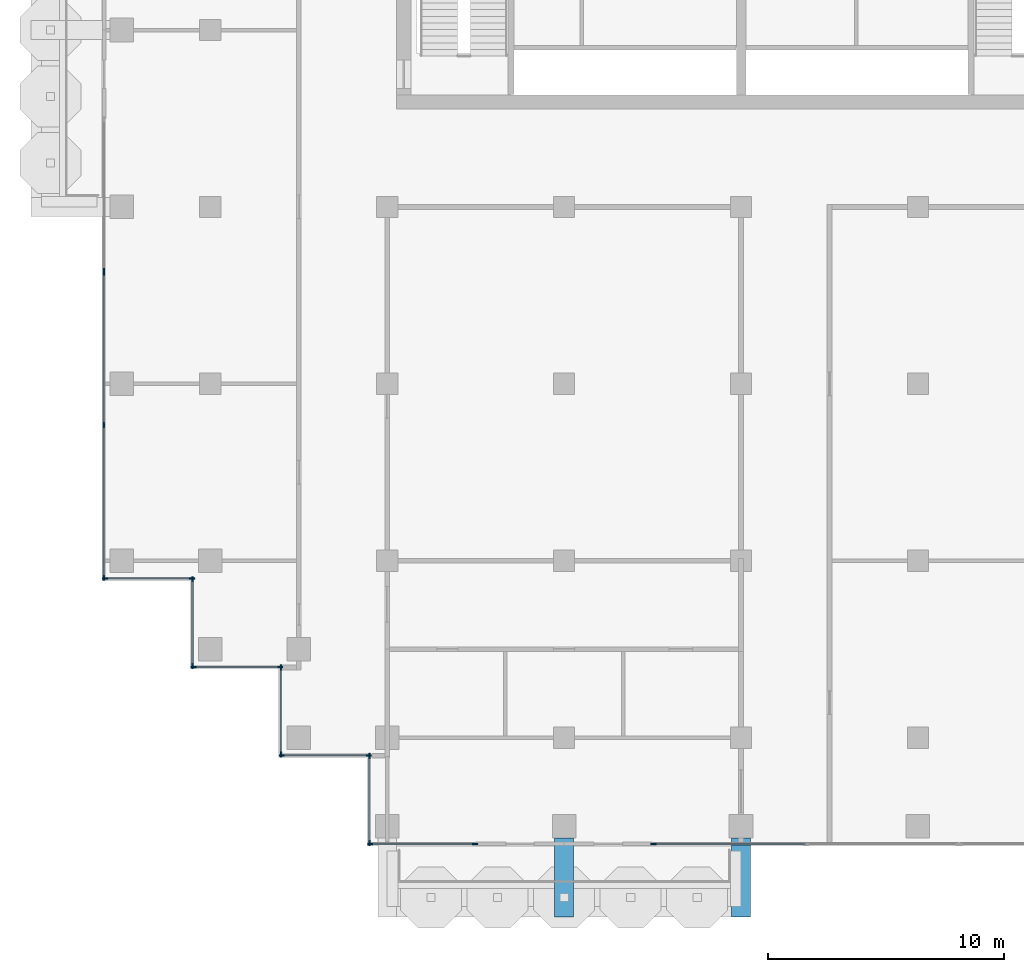
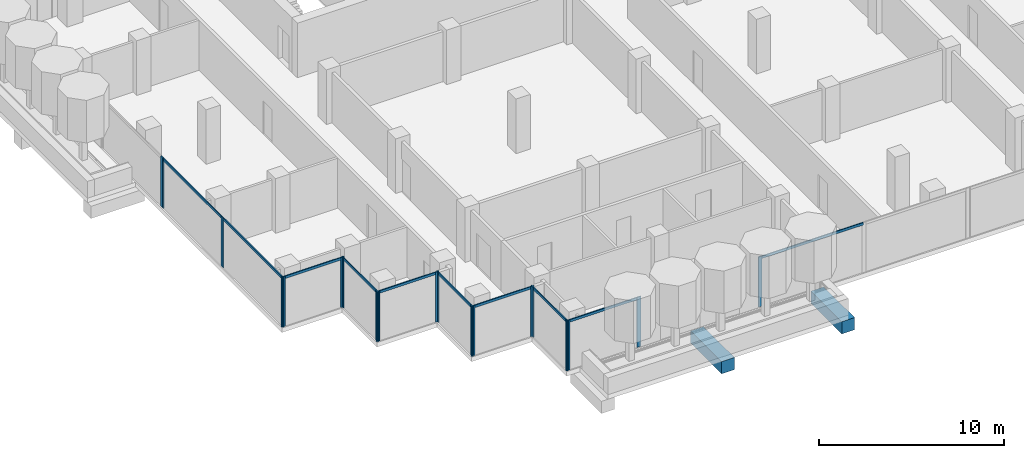
# One storey, part 2 of 17: 29 members, 2 beams, 10 elements without a shape of their own.
"""IFC4 building model written with IfcOpenShell, lengths in metres."""

from ifc_helpers import new_model, si_unit, direction, frame, origin, origin_2d, place, context, subcontext, project, spatial, rectangle, extrude, material, material_profile, profile_set, type_object, element, aggregate, save


model = new_model("IFC4")

# Units and contexts
model_context = context("Model", 3, precision=1e-05, world=origin(), true_north=direction((0.0, 1.0)))
body_context = subcontext(model_context, "Body", "Model", "MODEL_VIEW")
ifc_project = project(units=[si_unit("LENGTHUNIT", "METRE"), si_unit("AREAUNIT", "SQUARE_METRE"), si_unit("VOLUMEUNIT", "CUBIC_METRE"), si_unit("PLANEANGLEUNIT", "RADIAN"), si_unit("MASSUNIT", "GRAM", prefix="KILO")], contexts=[model_context])

# Site, building, storey
site_placement = place(None, origin())
site = spatial("IfcSite", under=ifc_project, at=site_placement, CompositionType="ELEMENT")
building_placement = place(site_placement, origin())
building = spatial("IfcBuilding", under=site, at=building_placement, Name="Pilkhan Gate Tower", CompositionType="ELEMENT")
storey_placement = place(building_placement, frame((0.0, 0.0, 213.89990234375)))
storey = spatial("IfcBuildingStorey", under=building, at=storey_placement, Name="L55", CompositionType="ELEMENT", Elevation=213.89990234375)

# Beams
ifc_material_1 = material(Name="Concrete C50/60", Category="concrete")
ifc_material_profile_1 = material_profile(ifc_material_1, rectangle(XDim=0.800048828125, YDim=0.800048828125, at=origin_2d()), Name="RC 800x800")
ifc_profile_set_1 = profile_set([ifc_material_profile_1], Name="Concrete C50/60")
beam_type = type_object("IfcBeamType", Name="Cantilever beam CB2 RC 800x800 C50/60", PredefinedType="BEAM", material=ifc_profile_set_1)
for number, where, z_axis, x_axis, name in (
    (1, (67.5, 40.75, -0.699951171875), (0.0, -1.0, 0.0), (1.0, 0.0, 0.0), "Balcony beam S.2 L55"),
    (2, (75.0, 40.75, -0.699951171875), (0.0, -1.0, 0.0), (1.0, 0.0, 0.0), "Balcony beam S.3 L55"),
):
    element("IfcBeam", number, at=place(storey_placement, frame(where, z_axis=z_axis, x_axis=x_axis)), inside=storey, type_object=beam_type, Name=name, PredefinedType="BEAM", context=body_context, shape_type="SweptSolid", body=[
        extrude(rectangle(XDim=0.800048828125, YDim=0.800048828125, at=origin_2d()), origin(), (0.0, 0.0, 1.0), 3.35009765625),
    ])

# Curtain wall, members
ifc_material_2 = material(Name="Pale anodised aluminium, clear low-iron double glazing", Category="aluminium")
curtain_wall_type = type_object("IfcCurtainWallType", Name="Office unitised curtain wall CW-O2", PredefinedType="USERDEFINED", material=ifc_material_2)
curtain_wall_1_placement = place(storey_placement, origin())
curtain_wall_1 = element("IfcCurtainWall", 3, at=curtain_wall_1_placement, inside=storey, type_object=curtain_wall_type, Name="Office unitised curtain wall CW-O2 L55 W", ObjectType="UNITISED CURTAIN WALL", PredefinedType="USERDEFINED")
ifc_material_3 = material(Name="Pale anodised aluminium", Category="aluminium")
ifc_material_profile_2 = material_profile(ifc_material_3, rectangle(XDim=0.06494140625, YDim=0.22509765625, at=origin_2d()), Name="Mullion 225x65")
ifc_profile_set_2 = profile_set([ifc_material_profile_2], Name="Pale anodised aluminium")
member_type_1 = type_object("IfcMemberType", Name="Mullion CW-O2 225x65", PredefinedType="MULLION", material=ifc_profile_set_2)
member_1_placement = place(storey_placement, frame((48.0, 51.782470703125, 0.0), z_axis=(0.0, 0.0, 1.0), x_axis=(-1.0, 0.0, 0.0)))
member_1 = element("IfcMember", 4, at=member_1_placement, type_object=member_type_1, Name="CW-O2 mullion 1", PredefinedType="MULLION", context=body_context, shape_type="SweptSolid", body=[
    extrude(rectangle(XDim=0.06494140625, YDim=0.22509765625, at=origin_2d()), origin(), (0.0, 0.0, 1.0), 3.300048828125),
])
member_2_placement = place(storey_placement, frame((48.0, 58.25, 0.0), z_axis=(0.0, 0.0, 1.0), x_axis=(-1.0, 0.0, 0.0)))
member_2 = element("IfcMember", 5, at=member_2_placement, type_object=member_type_1, Name="CW-O2 mullion 2", PredefinedType="MULLION", context=body_context, shape_type="SweptSolid", body=[
    extrude(rectangle(XDim=0.06494140625, YDim=0.22509765625, at=origin_2d()), origin(), (0.0, 0.0, 1.0), 3.300048828125),
])
member_3_placement = place(storey_placement, frame((48.0, 64.717529296875, 0.0), z_axis=(0.0, 0.0, 1.0), x_axis=(-1.0, 0.0, 0.0)))
member_3 = element("IfcMember", 6, at=member_3_placement, type_object=member_type_1, Name="CW-O2 mullion 3", PredefinedType="MULLION", context=body_context, shape_type="SweptSolid", body=[
    extrude(rectangle(XDim=0.06494140625, YDim=0.22509765625, at=origin_2d()), origin(), (0.0, 0.0, 1.0), 3.300048828125),
])

# Curtain wall, member
curtain_wall_2_placement = place(storey_placement, origin())
curtain_wall_2 = element("IfcCurtainWall", 7, at=curtain_wall_2_placement, inside=storey, type_object=curtain_wall_type, Name="Office unitised curtain wall CW-O2 L55 W", ObjectType="UNITISED CURTAIN WALL", PredefinedType="USERDEFINED")
member_4_placement = place(storey_placement, frame((48.0, 64.782470703125, 0.0), z_axis=(0.0, 0.0, 1.0), x_axis=(-1.0, 0.0, 0.0)))
member_4 = element("IfcMember", 8, at=member_4_placement, type_object=member_type_1, Name="CW-O2 mullion 1", PredefinedType="MULLION", context=body_context, shape_type="SweptSolid", body=[
    extrude(rectangle(XDim=0.06494140625, YDim=0.22509765625, at=origin_2d()), origin(), (0.0, 0.0, 1.0), 3.300048828125),
])
aggregate(curtain_wall_2, [member_4])

# Curtain wall, members
curtain_wall_3_placement = place(storey_placement, origin())
curtain_wall_3 = element("IfcCurtainWall", 9, at=curtain_wall_3_placement, inside=storey, type_object=curtain_wall_type, Name="Office unitised curtain wall CW-O2 L55 S", ObjectType="UNITISED CURTAIN WALL", PredefinedType="USERDEFINED")
member_5_placement = place(storey_placement, frame((48.032470703125, 51.75, 0.0), z_axis=(0.0, 0.0, 1.0), x_axis=(0.0, 1.0, 0.0)))
member_5 = element("IfcMember", 10, at=member_5_placement, type_object=member_type_1, Name="CW-O2 mullion 1", PredefinedType="MULLION", context=body_context, shape_type="SweptSolid", body=[
    extrude(rectangle(XDim=0.06494140625, YDim=0.22509765625, at=origin_2d()), origin(), (0.0, 0.0, 1.0), 3.300048828125),
])
member_6_placement = place(storey_placement, frame((51.717529296875, 51.75, 0.0), z_axis=(0.0, 0.0, 1.0), x_axis=(0.0, 1.0, 0.0)))
member_6 = element("IfcMember", 11, at=member_6_placement, type_object=member_type_1, Name="CW-O2 mullion 2", PredefinedType="MULLION", context=body_context, shape_type="SweptSolid", body=[
    extrude(rectangle(XDim=0.06494140625, YDim=0.22509765625, at=origin_2d()), origin(), (0.0, 0.0, 1.0), 3.300048828125),
])

curtain_wall_4_placement = place(storey_placement, origin())
curtain_wall_4 = element("IfcCurtainWall", 12, at=curtain_wall_4_placement, inside=storey, type_object=curtain_wall_type, Name="Office unitised curtain wall CW-O2 L55 W", ObjectType="UNITISED CURTAIN WALL", PredefinedType="USERDEFINED")
member_7_placement = place(storey_placement, frame((51.75, 48.032470703125, 0.0), z_axis=(0.0, 0.0, 1.0), x_axis=(-1.0, 0.0, 0.0)))
member_7 = element("IfcMember", 13, at=member_7_placement, type_object=member_type_1, Name="CW-O2 mullion 1", PredefinedType="MULLION", context=body_context, shape_type="SweptSolid", body=[
    extrude(rectangle(XDim=0.06494140625, YDim=0.22509765625, at=origin_2d()), origin(), (0.0, 0.0, 1.0), 3.300048828125),
])
member_8_placement = place(storey_placement, frame((51.75, 51.717529296875, 0.0), z_axis=(0.0, 0.0, 1.0), x_axis=(-1.0, 0.0, 0.0)))
member_8 = element("IfcMember", 14, at=member_8_placement, type_object=member_type_1, Name="CW-O2 mullion 2", PredefinedType="MULLION", context=body_context, shape_type="SweptSolid", body=[
    extrude(rectangle(XDim=0.06494140625, YDim=0.22509765625, at=origin_2d()), origin(), (0.0, 0.0, 1.0), 3.300048828125),
])

curtain_wall_5_placement = place(storey_placement, origin())
curtain_wall_5 = element("IfcCurtainWall", 15, at=curtain_wall_5_placement, inside=storey, type_object=curtain_wall_type, Name="Office unitised curtain wall CW-O2 L55 S", ObjectType="UNITISED CURTAIN WALL", PredefinedType="USERDEFINED")
member_9_placement = place(storey_placement, frame((51.782470703125, 48.0, 0.0), z_axis=(0.0, 0.0, 1.0), x_axis=(0.0, 1.0, 0.0)))
member_9 = element("IfcMember", 16, at=member_9_placement, type_object=member_type_1, Name="CW-O2 mullion 1", PredefinedType="MULLION", context=body_context, shape_type="SweptSolid", body=[
    extrude(rectangle(XDim=0.06494140625, YDim=0.22509765625, at=origin_2d()), origin(), (0.0, 0.0, 1.0), 3.300048828125),
])
member_10_placement = place(storey_placement, frame((55.467529296875, 48.0, 0.0), z_axis=(0.0, 0.0, 1.0), x_axis=(0.0, 1.0, 0.0)))
member_10 = element("IfcMember", 17, at=member_10_placement, type_object=member_type_1, Name="CW-O2 mullion 2", PredefinedType="MULLION", context=body_context, shape_type="SweptSolid", body=[
    extrude(rectangle(XDim=0.06494140625, YDim=0.22509765625, at=origin_2d()), origin(), (0.0, 0.0, 1.0), 3.300048828125),
])

curtain_wall_6_placement = place(storey_placement, origin())
curtain_wall_6 = element("IfcCurtainWall", 18, at=curtain_wall_6_placement, inside=storey, type_object=curtain_wall_type, Name="Office unitised curtain wall CW-O2 L55 W", ObjectType="UNITISED CURTAIN WALL", PredefinedType="USERDEFINED")
member_11_placement = place(storey_placement, frame((55.5, 44.282470703125, 0.0), z_axis=(0.0, 0.0, 1.0), x_axis=(-1.0, 0.0, 0.0)))
member_11 = element("IfcMember", 19, at=member_11_placement, type_object=member_type_1, Name="CW-O2 mullion 1", PredefinedType="MULLION", context=body_context, shape_type="SweptSolid", body=[
    extrude(rectangle(XDim=0.06494140625, YDim=0.22509765625, at=origin_2d()), origin(), (0.0, 0.0, 1.0), 3.300048828125),
])
member_12_placement = place(storey_placement, frame((55.5, 47.967529296875, 0.0), z_axis=(0.0, 0.0, 1.0), x_axis=(-1.0, 0.0, 0.0)))
member_12 = element("IfcMember", 20, at=member_12_placement, type_object=member_type_1, Name="CW-O2 mullion 2", PredefinedType="MULLION", context=body_context, shape_type="SweptSolid", body=[
    extrude(rectangle(XDim=0.06494140625, YDim=0.22509765625, at=origin_2d()), origin(), (0.0, 0.0, 1.0), 3.300048828125),
])

curtain_wall_7_placement = place(storey_placement, origin())
curtain_wall_7 = element("IfcCurtainWall", 21, at=curtain_wall_7_placement, inside=storey, type_object=curtain_wall_type, Name="Office unitised curtain wall CW-O2 L55 S", ObjectType="UNITISED CURTAIN WALL", PredefinedType="USERDEFINED")
member_13_placement = place(storey_placement, frame((55.532470703125, 44.25, 0.0), z_axis=(0.0, 0.0, 1.0), x_axis=(0.0, 1.0, 0.0)))
member_13 = element("IfcMember", 22, at=member_13_placement, type_object=member_type_1, Name="CW-O2 mullion 1", PredefinedType="MULLION", context=body_context, shape_type="SweptSolid", body=[
    extrude(rectangle(XDim=0.06494140625, YDim=0.22509765625, at=origin_2d()), origin(), (0.0, 0.0, 1.0), 3.300048828125),
])
member_14_placement = place(storey_placement, frame((59.217529296875, 44.25, 0.0), z_axis=(0.0, 0.0, 1.0), x_axis=(0.0, 1.0, 0.0)))
member_14 = element("IfcMember", 23, at=member_14_placement, type_object=member_type_1, Name="CW-O2 mullion 2", PredefinedType="MULLION", context=body_context, shape_type="SweptSolid", body=[
    extrude(rectangle(XDim=0.06494140625, YDim=0.22509765625, at=origin_2d()), origin(), (0.0, 0.0, 1.0), 3.300048828125),
])

curtain_wall_8_placement = place(storey_placement, origin())
curtain_wall_8 = element("IfcCurtainWall", 24, at=curtain_wall_8_placement, inside=storey, type_object=curtain_wall_type, Name="Office unitised curtain wall CW-O2 L55 W", ObjectType="UNITISED CURTAIN WALL", PredefinedType="USERDEFINED")
member_15_placement = place(storey_placement, frame((59.25, 40.532470703125, 0.0), z_axis=(0.0, 0.0, 1.0), x_axis=(-1.0, 0.0, 0.0)))
member_15 = element("IfcMember", 25, at=member_15_placement, type_object=member_type_1, Name="CW-O2 mullion 1", PredefinedType="MULLION", context=body_context, shape_type="SweptSolid", body=[
    extrude(rectangle(XDim=0.06494140625, YDim=0.22509765625, at=origin_2d()), origin(), (0.0, 0.0, 1.0), 3.300048828125),
])
member_16_placement = place(storey_placement, frame((59.25, 44.217529296875, 0.0), z_axis=(0.0, 0.0, 1.0), x_axis=(-1.0, 0.0, 0.0)))
member_16 = element("IfcMember", 26, at=member_16_placement, type_object=member_type_1, Name="CW-O2 mullion 2", PredefinedType="MULLION", context=body_context, shape_type="SweptSolid", body=[
    extrude(rectangle(XDim=0.06494140625, YDim=0.22509765625, at=origin_2d()), origin(), (0.0, 0.0, 1.0), 3.300048828125),
])

curtain_wall_9_placement = place(storey_placement, origin())
curtain_wall_9 = element("IfcCurtainWall", 27, at=curtain_wall_9_placement, inside=storey, type_object=curtain_wall_type, Name="Office unitised curtain wall CW-O2 L55 S", ObjectType="UNITISED CURTAIN WALL", PredefinedType="USERDEFINED")
member_17_placement = place(storey_placement, frame((59.282470703125, 40.5, 0.0), z_axis=(0.0, 0.0, 1.0), x_axis=(0.0, 1.0, 0.0)))
member_17 = element("IfcMember", 28, at=member_17_placement, type_object=member_type_1, Name="CW-O2 mullion 1", PredefinedType="MULLION", context=body_context, shape_type="SweptSolid", body=[
    extrude(rectangle(XDim=0.06494140625, YDim=0.22509765625, at=origin_2d()), origin(), (0.0, 0.0, 1.0), 3.300048828125),
])
member_18_placement = place(storey_placement, frame((63.717529296875, 40.5, 0.0), z_axis=(0.0, 0.0, 1.0), x_axis=(0.0, 1.0, 0.0)))
member_18 = element("IfcMember", 29, at=member_18_placement, type_object=member_type_1, Name="CW-O2 mullion 2", PredefinedType="MULLION", context=body_context, shape_type="SweptSolid", body=[
    extrude(rectangle(XDim=0.06494140625, YDim=0.22509765625, at=origin_2d()), origin(), (0.0, 0.0, 1.0), 3.300048828125),
])

# Curtain wall, member
curtain_wall_10_placement = place(storey_placement, origin())
curtain_wall_10 = element("IfcCurtainWall", 30, at=curtain_wall_10_placement, inside=storey, type_object=curtain_wall_type, Name="Office unitised curtain wall CW-O2 L55 S", ObjectType="UNITISED CURTAIN WALL", PredefinedType="USERDEFINED")
member_19_placement = place(storey_placement, frame((71.282470703125, 40.5, 0.0), z_axis=(0.0, 0.0, 1.0), x_axis=(0.0, 1.0, 0.0)))
member_19 = element("IfcMember", 31, at=member_19_placement, type_object=member_type_1, Name="CW-O2 mullion 1", PredefinedType="MULLION", context=body_context, shape_type="SweptSolid", body=[
    extrude(rectangle(XDim=0.06494140625, YDim=0.22509765625, at=origin_2d()), origin(), (0.0, 0.0, 1.0), 3.300048828125),
])

# Member
ifc_material_profile_3 = material_profile(ifc_material_3, rectangle(XDim=0.06494140625, YDim=0.1650390625, at=origin_2d()), Name="Transom 165x65")
ifc_profile_set_3 = profile_set([ifc_material_profile_3], Name="Pale anodised aluminium")
member_type_2 = type_object("IfcMemberType", Name="Transom CW-O2 165x65", PredefinedType="USERDEFINED", material=ifc_profile_set_3)
member_20_placement = place(storey_placement, frame((48.0, 51.81494140625, 3.217529296875), z_axis=(0.0, 1.0, 0.0), x_axis=(-1.0, 0.0, 0.0)))
member_20 = element("IfcMember", 32, at=member_20_placement, type_object=member_type_2, Name="CW-O2 transom 1", ObjectType="TRANSOM", PredefinedType="USERDEFINED", context=body_context, shape_type="SweptSolid", body=[
    extrude(rectangle(XDim=0.06494140625, YDim=0.1650390625, at=origin_2d()), origin(), (0.0, 0.0, 1.0), 6.402587890625),
])

member_21_placement = place(storey_placement, frame((48.0, 58.282470703125, 3.217529296875), z_axis=(0.0, 1.0, 0.0), x_axis=(-1.0, 0.0, 0.0)))
member_21 = element("IfcMember", 33, at=member_21_placement, type_object=member_type_2, Name="CW-O2 transom 2", ObjectType="TRANSOM", PredefinedType="USERDEFINED", context=body_context, shape_type="SweptSolid", body=[
    extrude(rectangle(XDim=0.06494140625, YDim=0.1650390625, at=origin_2d()), origin(), (0.0, 0.0, 1.0), 6.402587890625),
])

aggregate(curtain_wall_1, [member_1, member_2, member_3, member_20, member_21])

member_22_placement = place(storey_placement, frame((48.06494140625, 51.75, 3.217529296875), z_axis=(1.0, 0.0, 0.0), x_axis=(0.0, 1.0, 0.0)))
member_22 = element("IfcMember", 34, at=member_22_placement, type_object=member_type_2, Name="CW-O2 transom 1", ObjectType="TRANSOM", PredefinedType="USERDEFINED", context=body_context, shape_type="SweptSolid", body=[
    extrude(rectangle(XDim=0.06494140625, YDim=0.1650390625, at=origin_2d()), origin(), (0.0, 0.0, 1.0), 3.6201171875),
])

aggregate(curtain_wall_3, [member_5, member_6, member_22])

member_23_placement = place(storey_placement, frame((51.75, 48.06494140625, 3.217529296875), z_axis=(0.0, 1.0, 0.0), x_axis=(-1.0, 0.0, 0.0)))
member_23 = element("IfcMember", 35, at=member_23_placement, type_object=member_type_2, Name="CW-O2 transom 1", ObjectType="TRANSOM", PredefinedType="USERDEFINED", context=body_context, shape_type="SweptSolid", body=[
    extrude(rectangle(XDim=0.06494140625, YDim=0.1650390625, at=origin_2d()), origin(), (0.0, 0.0, 1.0), 3.6201171875),
])

aggregate(curtain_wall_4, [member_7, member_8, member_23])

member_24_placement = place(storey_placement, frame((51.81494140625, 48.0, 3.217529296875), z_axis=(1.0, 0.0, 0.0), x_axis=(0.0, 1.0, 0.0)))
member_24 = element("IfcMember", 36, at=member_24_placement, type_object=member_type_2, Name="CW-O2 transom 1", ObjectType="TRANSOM", PredefinedType="USERDEFINED", context=body_context, shape_type="SweptSolid", body=[
    extrude(rectangle(XDim=0.06494140625, YDim=0.1650390625, at=origin_2d()), origin(), (0.0, 0.0, 1.0), 3.6201171875),
])

aggregate(curtain_wall_5, [member_9, member_10, member_24])

member_25_placement = place(storey_placement, frame((55.5, 44.31494140625, 3.217529296875), z_axis=(0.0, 1.0, 0.0), x_axis=(-1.0, 0.0, 0.0)))
member_25 = element("IfcMember", 37, at=member_25_placement, type_object=member_type_2, Name="CW-O2 transom 1", ObjectType="TRANSOM", PredefinedType="USERDEFINED", context=body_context, shape_type="SweptSolid", body=[
    extrude(rectangle(XDim=0.06494140625, YDim=0.1650390625, at=origin_2d()), origin(), (0.0, 0.0, 1.0), 3.6201171875),
])

aggregate(curtain_wall_6, [member_11, member_12, member_25])

member_26_placement = place(storey_placement, frame((55.56494140625, 44.25, 3.217529296875), z_axis=(1.0, 0.0, 0.0), x_axis=(0.0, 1.0, 0.0)))
member_26 = element("IfcMember", 38, at=member_26_placement, type_object=member_type_2, Name="CW-O2 transom 1", ObjectType="TRANSOM", PredefinedType="USERDEFINED", context=body_context, shape_type="SweptSolid", body=[
    extrude(rectangle(XDim=0.06494140625, YDim=0.1650390625, at=origin_2d()), origin(), (0.0, 0.0, 1.0), 3.6201171875),
])

aggregate(curtain_wall_7, [member_13, member_14, member_26])

member_27_placement = place(storey_placement, frame((59.25, 40.56494140625, 3.217529296875), z_axis=(0.0, 1.0, 0.0), x_axis=(-1.0, 0.0, 0.0)))
member_27 = element("IfcMember", 39, at=member_27_placement, type_object=member_type_2, Name="CW-O2 transom 1", ObjectType="TRANSOM", PredefinedType="USERDEFINED", context=body_context, shape_type="SweptSolid", body=[
    extrude(rectangle(XDim=0.06494140625, YDim=0.1650390625, at=origin_2d()), origin(), (0.0, 0.0, 1.0), 3.6201171875),
])

aggregate(curtain_wall_8, [member_15, member_16, member_27])

member_28_placement = place(storey_placement, frame((59.31494140625, 40.5, 3.217529296875), z_axis=(1.0, 0.0, 0.0), x_axis=(0.0, 1.0, 0.0)))
member_28 = element("IfcMember", 40, at=member_28_placement, type_object=member_type_2, Name="CW-O2 transom 1", ObjectType="TRANSOM", PredefinedType="USERDEFINED", context=body_context, shape_type="SweptSolid", body=[
    extrude(rectangle(XDim=0.06494140625, YDim=0.1650390625, at=origin_2d()), origin(), (0.0, 0.0, 1.0), 4.3701171875),
])

aggregate(curtain_wall_9, [member_17, member_18, member_28])

member_29_placement = place(storey_placement, frame((71.31494140625, 40.5, 3.217529296875), z_axis=(1.0, 0.0, 0.0), x_axis=(0.0, 1.0, 0.0)))
member_29 = element("IfcMember", 41, at=member_29_placement, type_object=member_type_2, Name="CW-O2 transom 1", ObjectType="TRANSOM", PredefinedType="USERDEFINED", context=body_context, shape_type="SweptSolid", body=[
    extrude(rectangle(XDim=0.06494140625, YDim=0.1650390625, at=origin_2d()), origin(), (0.0, 0.0, 1.0), 6.402587890625),
])

aggregate(curtain_wall_10, [member_19, member_29])

save(model, "model.ifc")
